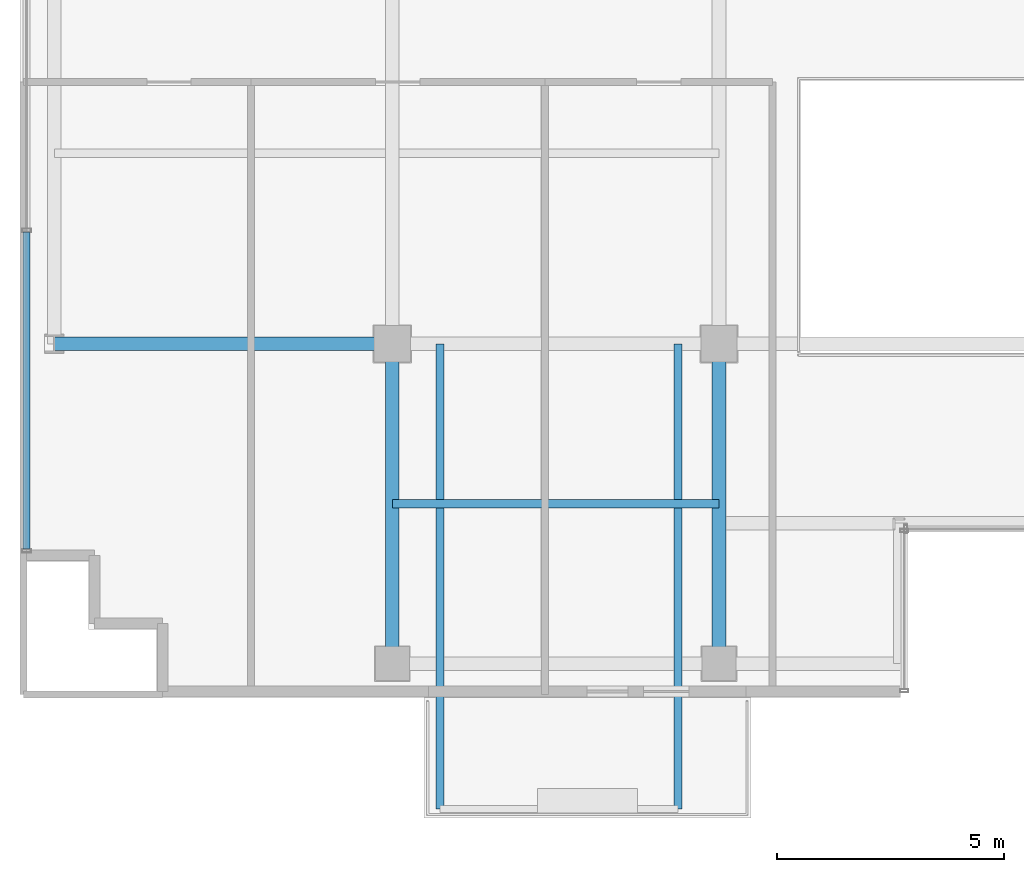
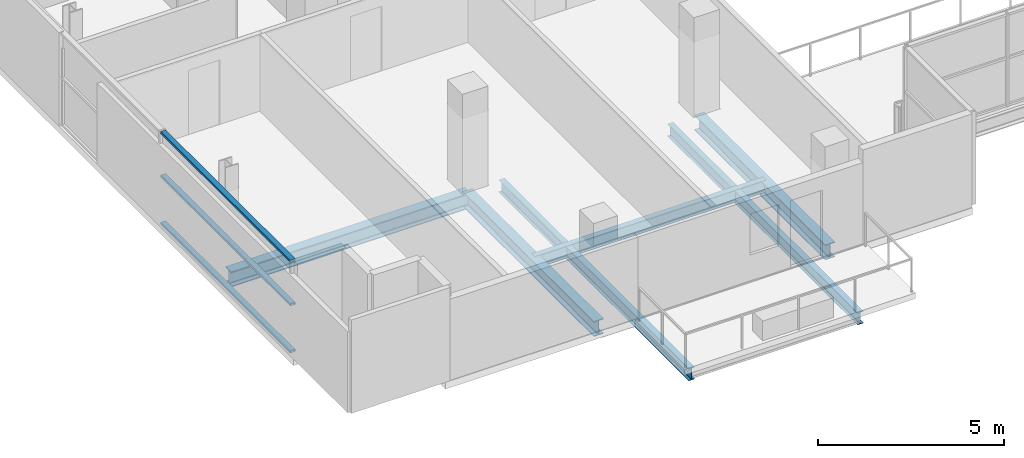
# One storey, part 3 of 23: 6 beams, 3 members, 1 element without a shape of its own.
"""IFC4 building model written with IfcOpenShell, lengths in metres."""

from ifc_helpers import new_model, si_unit, direction, frame, origin, origin_2d, place, context, subcontext, project, spatial, hollow_rectangle, i_section, extrude, source, transform, mapped, material, layer, layer_set, material_profile, profile_set, type_object, element, aggregate, save


model = new_model("IFC4")

# Units and contexts
model_context = context("Model", 3, precision=1e-05, world=origin(), true_north=direction((0.0, 1.0)))
body_context = subcontext(model_context, "Body", "Model", "MODEL_VIEW")
ifc_project = project(units=[si_unit("LENGTHUNIT", "METRE"), si_unit("AREAUNIT", "SQUARE_METRE"), si_unit("VOLUMEUNIT", "CUBIC_METRE"), si_unit("PLANEANGLEUNIT", "RADIAN"), si_unit("MASSUNIT", "GRAM", prefix="KILO")], contexts=[model_context])

# Site, building, storey
site_placement = place(None, origin())
site = spatial("IfcSite", under=ifc_project, at=site_placement, CompositionType="ELEMENT")
building_placement = place(site_placement, origin())
building = spatial("IfcBuilding", under=site, at=building_placement, Name="Zarnakvel Exchange Tower", CompositionType="ELEMENT")
storey_placement = place(building_placement, frame((0.0, 0.0, 175.89990234375)))
storey = spatial("IfcBuildingStorey", under=building, at=storey_placement, Name="L49", CompositionType="ELEMENT", Elevation=175.89990234375)

# Beams
ifc_material_1 = material(Name="Steel S355", Category="steel")
ifc_material_profile_1 = material_profile(ifc_material_1, i_section(OverallWidth=0.179931640625, OverallDepth=0.39990234375, WebThickness=0.008544921875, FlangeThickness=0.013427734375, FilletRadius=0.02099609375, at=origin_2d()))
ifc_profile_set_1 = profile_set([ifc_material_profile_1], Name="Steel S355")
beam_type_1 = type_object("IfcBeamType", Name="B-06", PredefinedType="JOIST", material=ifc_profile_set_1)
beam_1_placement = place(storey_placement, frame((-14.39990234375, -13.125, -0.4248046875), z_axis=(1.0, 0.0, 0.0), x_axis=(0.0, 1.0, 0.0)))
element("IfcBeam", 1, at=beam_1_placement, inside=storey, type_object=beam_type_1, Name="L49 Composite Floor Secondary Joist", PredefinedType="JOIST", context=body_context, shape_type="SweptSolid", body=[
    extrude(i_section(OverallWidth=0.179931640625, OverallDepth=0.39990234375, WebThickness=0.008544921875, FlangeThickness=0.013427734375, FilletRadius=0.02099609375, at=origin_2d()), origin(), (0.0, 0.0, 1.0), 7.199951171875),
])
for number, where, z_axis, x_axis, name in (
    (2, (-13.35009765625, -9.60009765625, -0.4248046875), (0.0, -1.0, 0.0), (1.0, 0.0, 0.0), "L49 Continuous Back-Spanned Balcony Beam W"),
    (3, (-8.10009765625, -9.60009765625, -0.4248046875), (0.0, -1.0, 0.0), (1.0, 0.0, 0.0), "L49 Continuous Back-Spanned Balcony Beam E"),
):
    element("IfcBeam", number, at=place(storey_placement, frame(where, z_axis=z_axis, x_axis=x_axis)), inside=storey, type_object=beam_type_1, Name=name, PredefinedType="JOIST", context=body_context, shape_type="SweptSolid", body=[
        extrude(i_section(OverallWidth=0.179931640625, OverallDepth=0.39990234375, WebThickness=0.008544921875, FlangeThickness=0.013427734375, FilletRadius=0.02099609375, at=origin_2d()), origin(), (0.0, 0.0, 1.0), 10.25),
    ])
ifc_material_profile_2 = material_profile(ifc_material_1, i_section(OverallWidth=0.300048828125, OverallDepth=0.5, WebThickness=0.014404296875, FlangeThickness=0.028076171875, FilletRadius=0.027099609375, at=origin_2d()))
ifc_profile_set_2 = profile_set([ifc_material_profile_2], Name="Steel S355")
beam_type_2 = type_object("IfcBeamType", Name="G-06", PredefinedType="BEAM", material=ifc_profile_set_2)
beam_2_placement = place(storey_placement, frame((-21.85009765625, -9.60009765625, -0.474853515625), z_axis=(1.0, 0.0, 0.0), x_axis=(0.0, 1.0, 0.0)))
element("IfcBeam", 4, at=beam_2_placement, inside=storey, type_object=beam_type_2, Name="L49 Tower E-W Frame Beam", PredefinedType="BEAM", context=body_context, shape_type="SweptSolid", body=[
    extrude(i_section(OverallWidth=0.300048828125, OverallDepth=0.5, WebThickness=0.014404296875, FlangeThickness=0.028076171875, FilletRadius=0.027099609375, at=origin_2d()), origin(), (0.0, 0.0, 1.0), 7.4501953125),
])
for number, where, z_axis, x_axis, name in (
    (5, (-14.39990234375, -16.64990234375, -0.474853515625), (0.0, 1.0, 0.0), (-1.0, 0.0, 0.0), "L49 Tower N-S Frame Beam"),
    (6, (-7.199951171875, -16.64990234375, -0.474853515625), (0.0, 1.0, 0.0), (-1.0, 0.0, 0.0), "L49 Tower N-S Frame Beam"),
):
    element("IfcBeam", number, at=place(storey_placement, frame(where, z_axis=z_axis, x_axis=x_axis)), inside=storey, type_object=beam_type_2, Name=name, PredefinedType="BEAM", context=body_context, shape_type="SweptSolid", body=[
        extrude(i_section(OverallWidth=0.300048828125, OverallDepth=0.5, WebThickness=0.014404296875, FlangeThickness=0.028076171875, FilletRadius=0.027099609375, at=origin_2d()), origin(), (0.0, 0.0, 1.0), 7.0498046875),
    ])

# Curtain wall, members
ifc_material_2 = material(Name="Architectural Bronze Anodised Aluminium", Category="aluminium")
ifc_layer = layer(ifc_material_2, 0.199951171875)
ifc_layer_set = layer_set([ifc_layer], Name="Architectural Bronze Anodised Aluminium")
curtain_wall_type = type_object("IfcCurtainWallType", Name="CW-04", PredefinedType="NOTDEFINED", material=ifc_layer_set)
curtain_wall_placement = place(storey_placement, origin())
curtain_wall = element("IfcCurtainWall", 7, at=curtain_wall_placement, inside=storey, type_object=curtain_wall_type, Name="L49 Curtain Wall CW-L49-W1 (CW-04)", PredefinedType="NOTDEFINED")
ifc_material_profile_3 = material_profile(ifc_material_2, hollow_rectangle(XDim=0.159912109375, YDim=0.074951171875, WallThickness=0.00390625, at=origin_2d()))
ifc_profile_set_3 = profile_set([ifc_material_profile_3], Name="Architectural Bronze Anodised Aluminium")
member_type = type_object("IfcMemberType", Name="CWT-04", PredefinedType="USERDEFINED", material=ifc_profile_set_3)
shared_shape = source(origin(), body_context, "Body", "SweptSolid", [
    extrude(hollow_rectangle(XDim=0.159912109375, YDim=0.074951171875, WallThickness=0.00390625, at=origin_2d()), origin(), (0.0, 0.0, 1.0), 6.987548828125),
])
member_1_placement = place(storey_placement, frame((-22.4599609375, -14.125, 0.03759765625), z_axis=(0.0, 1.0, 0.0), x_axis=(-1.0, 0.0, 0.0)))
member_1 = element("IfcMember", 8, at=member_1_placement, type_object=member_type, Name="CW-04 transom 1.1", ObjectType="TRANSOM", PredefinedType="USERDEFINED", context=body_context, shape_type="MappedRepresentation", body=[
    mapped(shared_shape, transform((0.0, 0.0, 0.0), x_axis=(1.0, 0.0, 0.0), y_axis=(0.0, 1.0, 0.0), z_axis=(0.0, 0.0, 1.0), scale=1.0)),
])
member_2_placement = place(storey_placement, frame((-22.4599609375, -14.125, 1.588623046875), z_axis=(0.0, 1.0, 0.0), x_axis=(-1.0, 0.0, 0.0)))
member_2 = element("IfcMember", 9, at=member_2_placement, type_object=member_type, Name="CW-04 transom 1.2", ObjectType="TRANSOM", PredefinedType="USERDEFINED", context=body_context, shape_type="MappedRepresentation", body=[
    mapped(shared_shape, transform((0.0, 0.0, 0.0), x_axis=(1.0, 0.0, 0.0), y_axis=(0.0, 1.0, 0.0), z_axis=(0.0, 0.0, 1.0), scale=1.0)),
])
member_3_placement = place(storey_placement, frame((-22.4599609375, -14.125, 3.017578125), z_axis=(0.0, 1.0, 0.0), x_axis=(-1.0, 0.0, 0.0)))
member_3 = element("IfcMember", 10, at=member_3_placement, type_object=member_type, Name="CW-04 transom 1.3", ObjectType="TRANSOM", PredefinedType="USERDEFINED", context=body_context, shape_type="MappedRepresentation", body=[
    mapped(shared_shape, transform((0.0, 0.0, 0.0), x_axis=(1.0, 0.0, 0.0), y_axis=(0.0, 1.0, 0.0), z_axis=(0.0, 0.0, 1.0), scale=1.0)),
])
aggregate(curtain_wall, [member_1, member_2, member_3])

save(model, "model.ifc")
